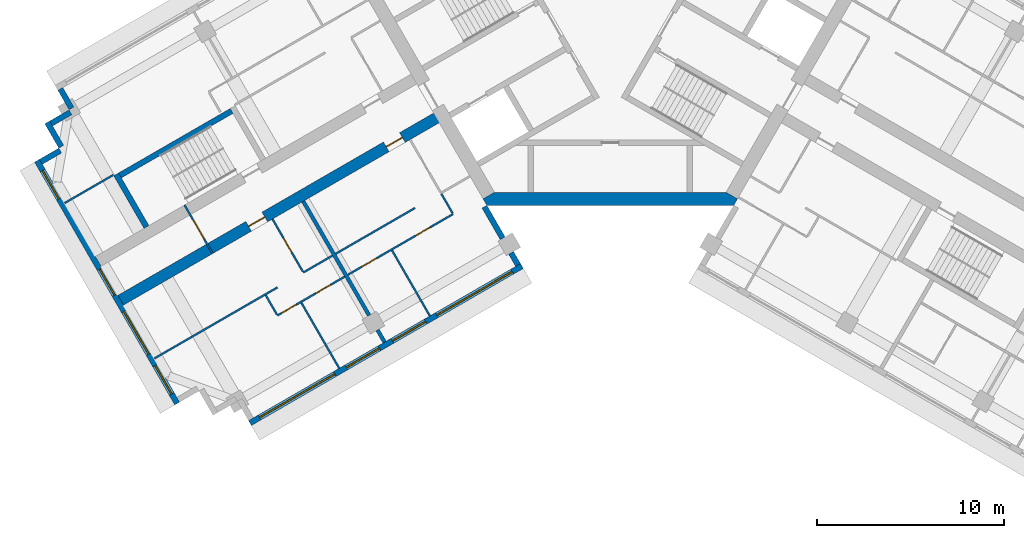
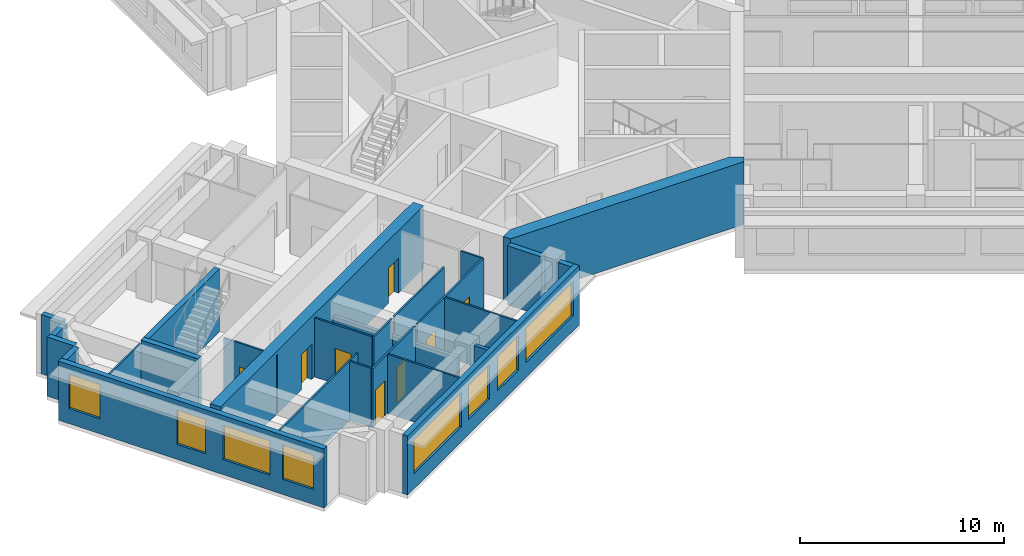
# One storey, part 2 of 10: 26 walls, 8 doors, 8 windows, 16 openings.
"""IFC4 building model written with IfcOpenShell, lengths in metres."""

from ifc_helpers import new_model, si_unit, direction, frame, frame_2d, origin, place, context, subcontext, project, spatial, polyline, rectangle, outline, extrude, material, layer, layer_set, type_object, element, fill, save


model = new_model("IFC4")

# Units and contexts
model_context = context("Model", 3, precision=1e-05, world=origin(), true_north=direction((0.0, 1.0)))
body_context = subcontext(model_context, "Body", "Model", "MODEL_VIEW")
ifc_project = project(units=[si_unit("LENGTHUNIT", "METRE"), si_unit("AREAUNIT", "SQUARE_METRE"), si_unit("VOLUMEUNIT", "CUBIC_METRE"), si_unit("PLANEANGLEUNIT", "RADIAN"), si_unit("MASSUNIT", "GRAM", prefix="KILO")], contexts=[model_context])

# Site, building, storey
site_placement = place(None, origin())
site = spatial("IfcSite", under=ifc_project, at=site_placement, CompositionType="ELEMENT")
building_placement = place(site_placement, origin())
building = spatial("IfcBuilding", under=site, at=building_placement, Name="Impinga Residences", CompositionType="ELEMENT")
storey_placement = place(building_placement, frame((0.0, 0.0, 237.25)))
storey = spatial("IfcBuildingStorey", under=building, at=storey_placement, Name="L59", CompositionType="ELEMENT", Elevation=237.25)

# Wall, openings, doors
ifc_material_1 = material(Name="Concrete C60/75", Category="concrete")
ifc_layer_1 = layer(ifc_material_1, 0.60009765625)
ifc_layer_set_1 = layer_set([ifc_layer_1], Name="Concrete C60/75")
wall_type_1 = type_object("IfcWallType", Name="BW3 corridor buttress wall, L46 to L73 600", PredefinedType="SHEAR", material=ifc_layer_set_1)
wall_1_placement = place(storey_placement, frame((-8.996826171875, -6.580078125, 0.0), z_axis=(0.0, 0.0, 1.0), x_axis=(-0.866030540451, -0.499991102927, 0.0)))
wall_1 = element("IfcWall", 1, at=wall_1_placement, inside=storey, type_object=wall_type_1, Name="Corridor wall BW3 WC L59", PredefinedType="SHEAR", context=body_context, shape_type="SweptSolid", body=[
    extrude(rectangle(XDim=19.849853515625, YDim=0.60009765625, at=frame_2d((9.9248046875, 0.0))), origin(), (0.0, 0.0, 1.0), 3.75),
])
opening_1_placement = place(wall_1_placement, frame((2.449951171875, 0.0, 0.0)))
opening_1 = element("IfcOpeningElement", 2, at=opening_1_placement, cuts=wall_1, Name="Opening D1", PredefinedType="OPENING", context=body_context, shape_type="SweptSolid", body=[
    extrude(rectangle(XDim=1.0, YDim=2.10009765625, at=frame_2d((0.5, 1.050048828125))), frame((0.0, 0.31005859375, 0.0), z_axis=(0.0, -1.0, 0.0), x_axis=(1.0, 0.0, 0.0)), (0.0, 0.0, 1.0), 0.6201171875),
])
opening_2_placement = place(wall_1_placement, frame((10.949951171875, 0.0, 0.0)))
opening_2 = element("IfcOpeningElement", 3, at=opening_2_placement, cuts=wall_1, Name="Opening D1", PredefinedType="OPENING", context=body_context, shape_type="SweptSolid", body=[
    extrude(rectangle(XDim=1.0, YDim=2.10009765625, at=frame_2d((0.5, 1.050048828125))), frame((0.0, 0.31005859375, 0.0), z_axis=(0.0, -1.0, 0.0), x_axis=(1.0, 0.0, 0.0)), (0.0, 0.0, 1.0), 0.6201171875),
])
ifc_material_2 = material(Name="Timber door set", Category="wood")
door_type_1 = type_object("IfcDoorType", Name="D1 apartment entrance door 1000x2100", OperationType="SINGLE_SWING_LEFT", PredefinedType="DOOR", material=ifc_material_2)
door_1_placement = place(opening_1_placement, origin())
door_1 = element("IfcDoor", 4, at=door_1_placement, inside=storey, type_object=door_type_1, Name="Apartment L59-WA1 entrance", OperationType="SINGLE_SWING_LEFT", OverallHeight=2.10009765625, OverallWidth=1.0, PredefinedType="DOOR", context=body_context, shape_type="SweptSolid", body=[
    extrude(rectangle(XDim=1.0, YDim=2.10009765625, at=frame_2d((0.5, 1.050048828125))), frame((0.0, 0.02490234375, 0.0), z_axis=(0.0, -1.0, 0.0), x_axis=(1.0, 0.0, 0.0)), (0.0, 0.0, 1.0), 0.050048828125),
])
fill(opening_1, door_1)
door_2_placement = place(opening_2_placement, origin())
door_2 = element("IfcDoor", 5, at=door_2_placement, inside=storey, type_object=door_type_1, Name="Apartment L59-WA2 entrance", OperationType="SINGLE_SWING_RIGHT", OverallHeight=2.10009765625, OverallWidth=1.0, PredefinedType="DOOR", context=body_context, shape_type="SweptSolid", body=[
    extrude(rectangle(XDim=1.0, YDim=2.10009765625, at=frame_2d((0.5, 1.050048828125))), frame((0.0, 0.02490234375, 0.0), z_axis=(0.0, -1.0, 0.0), x_axis=(1.0, 0.0, 0.0)), (0.0, 0.0, 1.0), 0.050048828125),
])
fill(opening_2, door_2)

# Wall, opening, door
ifc_material_3 = material(Name="Concrete blockwork", Category="masonry")
ifc_layer_2 = layer(ifc_material_3, 0.10009765625)
ifc_layer_set_2 = layer_set([ifc_layer_2], Name="CP1 core room partition, blockwork 100")
wall_type_2 = type_object("IfcWallType", Name="CP1 core room partition, blockwork 100", PredefinedType="PARTITIONING", material=ifc_layer_set_2)
wall_2_placement = place(storey_placement, frame((-21.2744140625, -14.014892578125, 0.0), z_axis=(0.0, 0.0, 1.0), x_axis=(-0.499990139034, 0.866031096941, 0.0)))
wall_2 = element("IfcWall", 6, at=wall_2_placement, inside=storey, type_object=wall_type_2, Name="Core room partition, blockwork L59:W:LNG", PredefinedType="PARTITIONING", context=body_context, shape_type="SweptSolid", body=[
    extrude(rectangle(XDim=3.0, YDim=0.10009765625, at=frame_2d((1.5, 0.0))), origin(), (0.0, 0.0, 1.0), 3.530029296875),
])
opening_3_placement = place(wall_2_placement, frame((0.89990234375, 0.0, 0.0)))
opening_3 = element("IfcOpeningElement", 7, at=opening_3_placement, cuts=wall_2, Name="Opening D3", PredefinedType="OPENING", context=body_context, shape_type="SweptSolid", body=[
    extrude(rectangle(XDim=1.199951171875, YDim=2.10009765625, at=frame_2d((0.60009765625, 1.050048828125))), frame((0.0, 0.06005859375, 0.0), z_axis=(0.0, -1.0, 0.0), x_axis=(1.0, 0.0, 0.0)), (0.0, 0.0, 1.0), 0.1201171875),
])
door_type_2 = type_object("IfcDoorType", Name="D3 room door, leaf and a half 1200x2100", OperationType="DOUBLE_SWING_LEFT", PredefinedType="DOOR", material=ifc_material_2)
door_3_placement = place(opening_3_placement, origin())
door_3 = element("IfcDoor", 8, at=door_3_placement, inside=storey, type_object=door_type_2, Name="Residents' lounge door W", OperationType="DOUBLE_SWING_LEFT", OverallHeight=2.10009765625, OverallWidth=1.199951171875, PredefinedType="DOOR", context=body_context, shape_type="SweptSolid", body=[
    extrude(rectangle(XDim=1.199951171875, YDim=2.10009765625, at=frame_2d((0.60009765625, 1.050048828125))), frame((0.0, 0.02490234375, 0.0), z_axis=(0.0, -1.0, 0.0), x_axis=(1.0, 0.0, 0.0)), (0.0, 0.0, 1.0), 0.050048828125),
])
fill(opening_3, door_3)

# Walls
ifc_material_4 = material(Name="Terracotta rainscreen on blockwork", Category="masonry")
ifc_layer_3 = layer(ifc_material_4, 0.300048828125)
ifc_layer_set_3 = layer_set([ifc_layer_3], Name="EW1 external wall, terracotta rainscreen on blockwork 300")
wall_type_3 = type_object("IfcWallType", Name="EW1 external wall, terracotta rainscreen on blockwork 300", PredefinedType="SOLIDWALL", material=ifc_layer_set_3)
wall_3_placement = place(storey_placement, frame((-6.72998046875, -11.506591796875, 0.0), z_axis=(0.0, 0.0, 1.0), x_axis=(0.500043961785, -0.866000020948, 0.0)))
element("IfcWall", 9, at=wall_3_placement, inside=storey, type_object=wall_type_3, Name="External wall EW1 L59", PredefinedType="SOLIDWALL", context=body_context, shape_type="SweptSolid", body=[
    extrude(rectangle(XDim=1.949951171875, YDim=0.300048828125, at=frame_2d((0.97509765625, 0.0))), origin(), (0.0, 0.0, 1.0), 3.530029296875),
])
wall_4_placement = place(storey_placement, frame((-5.304931640625, -13.974609375, 0.0), z_axis=(0.0, 0.0, 1.0), x_axis=(0.499919672301, -0.866071776036, 0.0)))
element("IfcWall", 10, at=wall_4_placement, inside=storey, type_object=wall_type_3, Name="External wall EW1 L59", PredefinedType="SOLIDWALL", context=body_context, shape_type="SweptSolid", body=[
    extrude(rectangle(XDim=0.75, YDim=0.300048828125, at=frame_2d((0.375, 0.0))), origin(), (0.0, 0.0, 1.0), 3.530029296875),
])

# Wall, openings, windows
wall_5_placement = place(storey_placement, frame((-4.72509765625, -14.67919921875, 0.0), z_axis=(0.0, 0.0, 1.0), x_axis=(-0.86602562146, -0.499999622975, 0.0)))
wall_5 = element("IfcWall", 11, at=wall_5_placement, inside=storey, type_object=wall_type_3, Name="External wall EW1 L59", PredefinedType="SOLIDWALL", context=body_context, shape_type="SweptSolid", body=[
    extrude(rectangle(XDim=16.7998046875, YDim=0.300048828125, at=frame_2d((8.39990234375, 0.0))), origin(), (0.0, 0.0, 1.0), 3.530029296875),
])
opening_4_placement = place(wall_5_placement, frame((0.60009765625, 0.0, 0.89990234375)))
opening_4 = element("IfcOpeningElement", 12, at=opening_4_placement, cuts=wall_5, Name="Opening W10", PredefinedType="OPENING", context=body_context, shape_type="SweptSolid", body=[
    extrude(rectangle(XDim=4.64990234375, YDim=2.050048828125, at=frame_2d((2.324951171875, 1.02490234375))), frame((0.0, 0.159912109375, 0.0), z_axis=(0.0, -1.0, 0.0), x_axis=(1.0, 0.0, 0.0)), (0.0, 0.0, 1.0), 0.320068359375),
])
opening_5_placement = place(wall_5_placement, frame((5.949951171875, 0.0, 0.89990234375)))
opening_5 = element("IfcOpeningElement", 13, at=opening_5_placement, cuts=wall_5, Name="Opening W14", PredefinedType="OPENING", context=body_context, shape_type="SweptSolid", body=[
    extrude(rectangle(XDim=2.050048828125, YDim=2.050048828125, at=frame_2d((1.02490234375, 1.02490234375))), frame((0.0, 0.159912109375, 0.0), z_axis=(0.0, -1.0, 0.0), x_axis=(1.0, 0.0, 0.0)), (0.0, 0.0, 1.0), 0.320068359375),
])
opening_6_placement = place(wall_5_placement, frame((8.800048828125, 0.0, 0.89990234375)))
opening_6 = element("IfcOpeningElement", 14, at=opening_6_placement, cuts=wall_5, Name="Opening W14", PredefinedType="OPENING", context=body_context, shape_type="SweptSolid", body=[
    extrude(rectangle(XDim=2.050048828125, YDim=2.050048828125, at=frame_2d((1.02490234375, 1.02490234375))), frame((0.0, 0.159912109375, 0.0), z_axis=(0.0, -1.0, 0.0), x_axis=(1.0, 0.0, 0.0)), (0.0, 0.0, 1.0), 0.320068359375),
])
opening_7_placement = place(wall_5_placement, frame((11.550048828125, 0.0, 0.89990234375)))
opening_7 = element("IfcOpeningElement", 15, at=opening_7_placement, cuts=wall_5, Name="Opening W10", PredefinedType="OPENING", context=body_context, shape_type="SweptSolid", body=[
    extrude(rectangle(XDim=4.64990234375, YDim=2.050048828125, at=frame_2d((2.324951171875, 1.02490234375))), frame((0.0, 0.159912109375, 0.0), z_axis=(0.0, -1.0, 0.0), x_axis=(1.0, 0.0, 0.0)), (0.0, 0.0, 1.0), 0.320068359375),
])
ifc_material_5 = material(Name="Aluminium window, clear double glazing", Category="aluminium")
window_type_1 = type_object("IfcWindowType", Name="W10 ribbon window 4650x2050", PartitioningType="SINGLE_PANEL", PredefinedType="WINDOW", material=ifc_material_5)
window_1_placement = place(opening_4_placement, origin())
window_1 = element("IfcWindow", 16, at=window_1_placement, inside=storey, type_object=window_type_1, Name="Window L59", OverallHeight=2.050048828125, OverallWidth=4.64990234375, PartitioningType="SINGLE_PANEL", PredefinedType="WINDOW", context=body_context, shape_type="SweptSolid", body=[
    extrude(rectangle(XDim=4.64990234375, YDim=2.050048828125, at=frame_2d((2.324951171875, 1.02490234375))), frame((0.0, 0.030029296875, 0.0), z_axis=(0.0, -1.0, 0.0), x_axis=(1.0, 0.0, 0.0)), (0.0, 0.0, 1.0), 0.06005859375),
])
fill(opening_4, window_1)
window_2_placement = place(opening_7_placement, origin())
window_2 = element("IfcWindow", 17, at=window_2_placement, inside=storey, type_object=window_type_1, Name="Window L59", OverallHeight=2.050048828125, OverallWidth=4.64990234375, PartitioningType="SINGLE_PANEL", PredefinedType="WINDOW", context=body_context, shape_type="SweptSolid", body=[
    extrude(rectangle(XDim=4.64990234375, YDim=2.050048828125, at=frame_2d((2.324951171875, 1.02490234375))), frame((0.0, 0.030029296875, 0.0), z_axis=(0.0, -1.0, 0.0), x_axis=(1.0, 0.0, 0.0)), (0.0, 0.0, 1.0), 0.06005859375),
])
fill(opening_7, window_2)
window_type_2 = type_object("IfcWindowType", Name="W14 ribbon window 2050x2050", PartitioningType="SINGLE_PANEL", PredefinedType="WINDOW", material=ifc_material_5)
window_3_placement = place(opening_5_placement, origin())
window_3 = element("IfcWindow", 18, at=window_3_placement, inside=storey, type_object=window_type_2, Name="Window L59", OverallHeight=2.050048828125, OverallWidth=2.050048828125, PartitioningType="SINGLE_PANEL", PredefinedType="WINDOW", context=body_context, shape_type="SweptSolid", body=[
    extrude(rectangle(XDim=2.050048828125, YDim=2.050048828125, at=frame_2d((1.02490234375, 1.02490234375))), frame((0.0, 0.030029296875, 0.0), z_axis=(0.0, -1.0, 0.0), x_axis=(1.0, 0.0, 0.0)), (0.0, 0.0, 1.0), 0.06005859375),
])
fill(opening_5, window_3)
window_4_placement = place(opening_6_placement, origin())
window_4 = element("IfcWindow", 19, at=window_4_placement, inside=storey, type_object=window_type_2, Name="Window L59", OverallHeight=2.050048828125, OverallWidth=2.050048828125, PartitioningType="SINGLE_PANEL", PredefinedType="WINDOW", context=body_context, shape_type="SweptSolid", body=[
    extrude(rectangle(XDim=2.050048828125, YDim=2.050048828125, at=frame_2d((1.02490234375, 1.02490234375))), frame((0.0, 0.030029296875, 0.0), z_axis=(0.0, -1.0, 0.0), x_axis=(1.0, 0.0, 0.0)), (0.0, 0.0, 1.0), 0.06005859375),
])
fill(opening_6, window_4)

wall_6_placement = place(storey_placement, frame((-23.16748046875, -22.035888671875, 0.0), z_axis=(0.0, 0.0, 1.0), x_axis=(-0.500004234368, 0.866022959057, 0.0)))
wall_6 = element("IfcWall", 20, at=wall_6_placement, inside=storey, type_object=wall_type_3, Name="External wall EW1 L59", PredefinedType="SOLIDWALL", context=body_context, shape_type="SweptSolid", body=[
    extrude(rectangle(XDim=14.999755859375, YDim=0.300048828125, at=frame_2d((7.5, 0.0))), origin(), (0.0, 0.0, 1.0), 3.530029296875),
])
opening_8_placement = place(wall_6_placement, frame((0.60009765625, 0.0, 0.89990234375)))
opening_8 = element("IfcOpeningElement", 21, at=opening_8_placement, cuts=wall_6, Name="Opening W1", PredefinedType="OPENING", context=body_context, shape_type="SweptSolid", body=[
    extrude(rectangle(XDim=1.75, YDim=2.050048828125, at=frame_2d((0.875, 1.02490234375))), frame((0.0, 0.159912109375, 0.0), z_axis=(0.0, -1.0, 0.0), x_axis=(1.0, 0.0, 0.0)), (0.0, 0.0, 1.0), 0.320068359375),
])
opening_9_placement = place(wall_6_placement, frame((3.050048828125, 0.0, 0.89990234375)))
opening_9 = element("IfcOpeningElement", 22, at=opening_9_placement, cuts=wall_6, Name="Opening W18", PredefinedType="OPENING", context=body_context, shape_type="SweptSolid", body=[
    extrude(rectangle(XDim=2.64990234375, YDim=2.050048828125, at=frame_2d((1.324951171875, 1.02490234375))), frame((0.0, 0.159912109375, 0.0), z_axis=(0.0, -1.0, 0.0), x_axis=(1.0, 0.0, 0.0)), (0.0, 0.0, 1.0), 0.320068359375),
])
opening_10_placement = place(wall_6_placement, frame((6.699951171875, 0.0, 0.89990234375)))
opening_10 = element("IfcOpeningElement", 23, at=opening_10_placement, cuts=wall_6, Name="Opening W19", PredefinedType="OPENING", context=body_context, shape_type="SweptSolid", body=[
    extrude(rectangle(XDim=1.60009765625, YDim=2.050048828125, at=frame_2d((0.800048828125, 1.02490234375))), frame((0.0, 0.159912109375, 0.0), z_axis=(0.0, -1.0, 0.0), x_axis=(1.0, 0.0, 0.0)), (0.0, 0.0, 1.0), 0.320068359375),
])
opening_11_placement = place(wall_6_placement, frame((12.64990234375, 0.0, 0.89990234375)))
opening_11 = element("IfcOpeningElement", 24, at=opening_11_placement, cuts=wall_6, Name="Opening W1", PredefinedType="OPENING", context=body_context, shape_type="SweptSolid", body=[
    extrude(rectangle(XDim=1.75, YDim=2.050048828125, at=frame_2d((0.875, 1.02490234375))), frame((0.0, 0.159912109375, 0.0), z_axis=(0.0, -1.0, 0.0), x_axis=(1.0, 0.0, 0.0)), (0.0, 0.0, 1.0), 0.320068359375),
])
window_type_3 = type_object("IfcWindowType", Name="W1 ribbon window 1750x2050", PartitioningType="SINGLE_PANEL", PredefinedType="WINDOW", material=ifc_material_5)
window_5_placement = place(opening_8_placement, origin())
window_5 = element("IfcWindow", 25, at=window_5_placement, inside=storey, type_object=window_type_3, Name="Window L59", OverallHeight=2.050048828125, OverallWidth=1.75, PartitioningType="SINGLE_PANEL", PredefinedType="WINDOW", context=body_context, shape_type="SweptSolid", body=[
    extrude(rectangle(XDim=1.75, YDim=2.050048828125, at=frame_2d((0.875, 1.02490234375))), frame((0.0, 0.030029296875, 0.0), z_axis=(0.0, -1.0, 0.0), x_axis=(1.0, 0.0, 0.0)), (0.0, 0.0, 1.0), 0.06005859375),
])
fill(opening_8, window_5)
window_6_placement = place(opening_11_placement, origin())
window_6 = element("IfcWindow", 26, at=window_6_placement, inside=storey, type_object=window_type_3, Name="Window L59", OverallHeight=2.050048828125, OverallWidth=1.75, PartitioningType="SINGLE_PANEL", PredefinedType="WINDOW", context=body_context, shape_type="SweptSolid", body=[
    extrude(rectangle(XDim=1.75, YDim=2.050048828125, at=frame_2d((0.875, 1.02490234375))), frame((0.0, 0.030029296875, 0.0), z_axis=(0.0, -1.0, 0.0), x_axis=(1.0, 0.0, 0.0)), (0.0, 0.0, 1.0), 0.06005859375),
])
fill(opening_11, window_6)
window_type_4 = type_object("IfcWindowType", Name="W18 ribbon window 2650x2050", PartitioningType="SINGLE_PANEL", PredefinedType="WINDOW", material=ifc_material_5)
window_7_placement = place(opening_9_placement, origin())
window_7 = element("IfcWindow", 27, at=window_7_placement, inside=storey, type_object=window_type_4, Name="Window L59", OverallHeight=2.050048828125, OverallWidth=2.64990234375, PartitioningType="SINGLE_PANEL", PredefinedType="WINDOW", context=body_context, shape_type="SweptSolid", body=[
    extrude(rectangle(XDim=2.64990234375, YDim=2.050048828125, at=frame_2d((1.324951171875, 1.02490234375))), frame((0.0, 0.030029296875, 0.0), z_axis=(0.0, -1.0, 0.0), x_axis=(1.0, 0.0, 0.0)), (0.0, 0.0, 1.0), 0.06005859375),
])
fill(opening_9, window_7)
window_type_5 = type_object("IfcWindowType", Name="W19 ribbon window 1600x2050", PartitioningType="SINGLE_PANEL", PredefinedType="WINDOW", material=ifc_material_5)
window_8_placement = place(opening_10_placement, origin())
window_8 = element("IfcWindow", 28, at=window_8_placement, inside=storey, type_object=window_type_5, Name="Window L59", OverallHeight=2.050048828125, OverallWidth=1.60009765625, PartitioningType="SINGLE_PANEL", PredefinedType="WINDOW", context=body_context, shape_type="SweptSolid", body=[
    extrude(rectangle(XDim=1.60009765625, YDim=2.050048828125, at=frame_2d((0.800048828125, 1.02490234375))), frame((0.0, 0.030029296875, 0.0), z_axis=(0.0, -1.0, 0.0), x_axis=(1.0, 0.0, 0.0)), (0.0, 0.0, 1.0), 0.06005859375),
])
fill(opening_10, window_8)

# Walls
wall_7_placement = place(storey_placement, frame((-30.46240234375, -9.1005859375, 0.0), z_axis=(0.0, 0.0, 1.0), x_axis=(0.865971243484, 0.500093796661, 0.0)))
element("IfcWall", 29, at=wall_7_placement, inside=storey, type_object=wall_type_3, Name="External wall EW1 L59", PredefinedType="SOLIDWALL", context=body_context, shape_type="SweptSolid", body=[
    extrude(rectangle(XDim=1.195068359375, YDim=0.300048828125, at=frame_2d((0.59765625, 0.0))), origin(), (0.0, 0.0, 1.0), 3.530029296875),
])
wall_8_placement = place(storey_placement, frame((-29.368408203125, -8.295654296875, 0.0), z_axis=(0.0, 0.0, 1.0), x_axis=(-0.499990139034, 0.866031096941, 0.0)))
element("IfcWall", 30, at=wall_8_placement, inside=storey, type_object=wall_type_3, Name="External wall EW1 L59", PredefinedType="SOLIDWALL", context=body_context, shape_type="SweptSolid", body=[
    extrude(rectangle(XDim=1.5, YDim=0.300048828125, at=frame_2d((0.75, 0.0))), origin(), (0.0, 0.0, 1.0), 3.530029296875),
])
wall_9_placement = place(storey_placement, frame((-29.91357421875, -7.051513671875, 0.0), z_axis=(0.0, 0.0, 1.0), x_axis=(0.865971243484, 0.500093796661, 0.0)))
element("IfcWall", 31, at=wall_9_placement, inside=storey, type_object=wall_type_3, Name="External wall EW1 L59", PredefinedType="SOLIDWALL", context=body_context, shape_type="SweptSolid", body=[
    extrude(rectangle(XDim=1.195068359375, YDim=0.300048828125, at=frame_2d((0.59765625, 0.0))), origin(), (0.0, 0.0, 1.0), 3.530029296875),
])
wall_10_placement = place(storey_placement, frame((-28.8193359375, -6.24658203125, 0.0), z_axis=(0.0, 0.0, 1.0), x_axis=(-0.500033551112, 0.866006032174, 0.0)))
element("IfcWall", 32, at=wall_10_placement, inside=storey, type_object=wall_type_3, Name="External wall EW1 L59", PredefinedType="SOLIDWALL", context=body_context, shape_type="SweptSolid", body=[
    extrude(rectangle(XDim=1.2001953125, YDim=0.300048828125, at=frame_2d((0.60009765625, 0.0))), origin(), (0.0, 0.0, 1.0), 3.530029296875),
])
ifc_material_6 = material(Name="Gypsum board on steel studs", Category="steel")
ifc_layer_4 = layer(ifc_material_6, 0.10009765625)
ifc_layer_set_4 = layer_set([ifc_layer_4], Name="Gypsum board on steel studs")
wall_type_4 = type_object("IfcWallType", Name="IP1 partition 100", PredefinedType="PARTITIONING", material=ifc_layer_set_4)
wall_11_placement = place(storey_placement, frame((-10.444580078125, -11.57275390625, 0.0), z_axis=(0.0, 0.0, 1.0), x_axis=(-0.866023786258, -0.500002801628, 0.0)))
element("IfcWall", 33, at=wall_11_placement, inside=storey, type_object=wall_type_4, Name="Partition L59-WA1:DIV1", PredefinedType="PARTITIONING", context=body_context, shape_type="SweptSolid", body=[
    extrude(rectangle(XDim=4.89990234375, YDim=0.10009765625, at=frame_2d((2.449951171875, 0.0))), origin(), (0.0, 0.0, 1.0), 3.530029296875),
])

# Wall, openings, doors
wall_12_placement = place(storey_placement, frame((-8.408935546875, -11.8984375, 0.0), z_axis=(0.0, 0.0, 1.0), x_axis=(-0.866024837091, -0.50000098154, 0.0)))
wall_12 = element("IfcWall", 34, at=wall_12_placement, inside=storey, type_object=wall_type_4, Name="Partition L59-WA1:STRIP", PredefinedType="PARTITIONING", context=body_context, shape_type="SweptSolid", body=[
    extrude(rectangle(XDim=6.5, YDim=0.10009765625, at=frame_2d((3.25, 0.0))), origin(), (0.0, 0.0, 1.0), 3.530029296875),
])
opening_12_placement = place(wall_12_placement, frame((1.425048828125, 0.0, 0.0)))
opening_12 = element("IfcOpeningElement", 35, at=opening_12_placement, cuts=wall_12, Name="Opening D2", PredefinedType="OPENING", context=body_context, shape_type="SweptSolid", body=[
    extrude(rectangle(XDim=0.89990234375, YDim=2.10009765625, at=frame_2d((0.449951171875, 1.050048828125))), frame((0.0, 0.06005859375, 0.0), z_axis=(0.0, -1.0, 0.0), x_axis=(1.0, 0.0, 0.0)), (0.0, 0.0, 1.0), 0.1201171875),
])
opening_13_placement = place(wall_12_placement, frame((4.72509765625, 0.0, 0.0)))
opening_13 = element("IfcOpeningElement", 36, at=opening_13_placement, cuts=wall_12, Name="Opening D2", PredefinedType="OPENING", context=body_context, shape_type="SweptSolid", body=[
    extrude(rectangle(XDim=0.89990234375, YDim=2.10009765625, at=frame_2d((0.449951171875, 1.050048828125))), frame((0.0, 0.06005859375, 0.0), z_axis=(0.0, -1.0, 0.0), x_axis=(1.0, 0.0, 0.0)), (0.0, 0.0, 1.0), 0.1201171875),
])
door_type_3 = type_object("IfcDoorType", Name="D2 internal door 900x2100", OperationType="SINGLE_SWING_LEFT", PredefinedType="DOOR", material=ifc_material_2)
door_4_placement = place(opening_12_placement, origin())
door_4 = element("IfcDoor", 37, at=door_4_placement, inside=storey, type_object=door_type_3, Name="Apartment L59-WA1 room door", OperationType="SINGLE_SWING_LEFT", OverallHeight=2.10009765625, OverallWidth=0.89990234375, PredefinedType="DOOR", context=body_context, shape_type="SweptSolid", body=[
    extrude(rectangle(XDim=0.89990234375, YDim=2.10009765625, at=frame_2d((0.449951171875, 1.050048828125))), frame((0.0, 0.02490234375, 0.0), z_axis=(0.0, -1.0, 0.0), x_axis=(1.0, 0.0, 0.0)), (0.0, 0.0, 1.0), 0.050048828125),
])
fill(opening_12, door_4)
door_5_placement = place(opening_13_placement, origin())
door_5 = element("IfcDoor", 38, at=door_5_placement, inside=storey, type_object=door_type_3, Name="Apartment L59-WA1 room door", OperationType="SINGLE_SWING_RIGHT", OverallHeight=2.10009765625, OverallWidth=0.89990234375, PredefinedType="DOOR", context=body_context, shape_type="SweptSolid", body=[
    extrude(rectangle(XDim=0.89990234375, YDim=2.10009765625, at=frame_2d((0.449951171875, 1.050048828125))), frame((0.0, 0.02490234375, 0.0), z_axis=(0.0, -1.0, 0.0), x_axis=(1.0, 0.0, 0.0)), (0.0, 0.0, 1.0), 0.050048828125),
])
fill(opening_13, door_5)

# Walls
wall_13_placement = place(storey_placement, frame((-9.033935546875, -10.81591796875, 0.0), z_axis=(0.0, 0.0, 1.0), x_axis=(0.500033551112, -0.866006032174, 0.0)))
element("IfcWall", 39, at=wall_13_placement, inside=storey, type_object=wall_type_4, Name="Partition L59-WA1:SE0", PredefinedType="PARTITIONING", context=body_context, shape_type="SweptSolid", body=[
    extrude(rectangle(XDim=1.2001953125, YDim=0.10009765625, at=frame_2d((0.60009765625, 0.0))), origin(), (0.0, 0.0, 1.0), 3.530029296875),
])
wall_14_placement = place(storey_placement, frame((-11.6748046875, -13.841796875, 0.0), z_axis=(0.0, 0.0, 1.0), x_axis=(0.500035537042, -0.866004885491, 0.0)))
element("IfcWall", 40, at=wall_14_placement, inside=storey, type_object=wall_type_4, Name="Partition L59-WA1:OB1", PredefinedType="PARTITIONING", context=body_context, shape_type="SweptSolid", body=[
    extrude(rectangle(XDim=4.050048828125, YDim=0.10009765625, at=frame_2d((2.02490234375, 0.0))), origin(), (0.0, 0.0, 1.0), 3.530029296875),
])
wall_15_placement = place(storey_placement, frame((-14.861328125, -14.122802734375, 0.0), z_axis=(0.0, 0.0, 1.0), x_axis=(-0.866047807691, -0.499961193289, 0.0)))
element("IfcWall", 41, at=wall_15_placement, inside=storey, type_object=wall_type_4, Name="Partition L59-WA2:DIV0", PredefinedType="PARTITIONING", context=body_context, shape_type="SweptSolid", body=[
    extrude(rectangle(XDim=1.800048828125, YDim=0.10009765625, at=frame_2d((0.89990234375, 0.0))), origin(), (0.0, 0.0, 1.0), 3.530029296875),
])
wall_16_placement = place(storey_placement, frame((-17.8056640625, -15.82275390625, 0.0), z_axis=(0.0, 0.0, 1.0), x_axis=(-0.866022425744, -0.500005158081, 0.0)))
element("IfcWall", 42, at=wall_16_placement, inside=storey, type_object=wall_type_4, Name="Partition L59-WA2:DIV1", PredefinedType="PARTITIONING", context=body_context, shape_type="SweptSolid", body=[
    extrude(rectangle(XDim=7.60009765625, YDim=0.10009765625, at=frame_2d((3.800048828125, 0.0))), origin(), (0.0, 0.0, 1.0), 3.530029296875),
])

# Wall, openings, doors
wall_17_placement = place(storey_placement, frame((-14.211181640625, -15.24853515625, 0.0), z_axis=(0.0, 0.0, 1.0), x_axis=(-0.86602981871, -0.499992353047, 0.0)))
wall_17 = element("IfcWall", 43, at=wall_17_placement, inside=storey, type_object=wall_type_4, Name="Partition L59-WA2:STRIP", PredefinedType="PARTITIONING", context=body_context, shape_type="SweptSolid", body=[
    extrude(rectangle(XDim=4.14990234375, YDim=0.10009765625, at=frame_2d((2.074951171875, 0.0))), origin(), (0.0, 0.0, 1.0), 3.530029296875),
])
opening_14_placement = place(wall_17_placement, frame((0.875, 0.0, 0.0)))
opening_14 = element("IfcOpeningElement", 44, at=opening_14_placement, cuts=wall_17, Name="Opening D2", PredefinedType="OPENING", context=body_context, shape_type="SweptSolid", body=[
    extrude(rectangle(XDim=0.89990234375, YDim=2.10009765625, at=frame_2d((0.449951171875, 1.050048828125))), frame((0.0, 0.06005859375, 0.0), z_axis=(0.0, -1.0, 0.0), x_axis=(1.0, 0.0, 0.0)), (0.0, 0.0, 1.0), 0.1201171875),
])
opening_15_placement = place(wall_17_placement, frame((3.0, 0.0, 0.0)))
opening_15 = element("IfcOpeningElement", 45, at=opening_15_placement, cuts=wall_17, Name="Opening D2", PredefinedType="OPENING", context=body_context, shape_type="SweptSolid", body=[
    extrude(rectangle(XDim=0.89990234375, YDim=2.10009765625, at=frame_2d((0.449951171875, 1.050048828125))), frame((0.0, 0.06005859375, 0.0), z_axis=(0.0, -1.0, 0.0), x_axis=(1.0, 0.0, 0.0)), (0.0, 0.0, 1.0), 0.1201171875),
])
door_6_placement = place(opening_14_placement, origin())
door_6 = element("IfcDoor", 46, at=door_6_placement, inside=storey, type_object=door_type_3, Name="Apartment L59-WA2 room door", OperationType="SINGLE_SWING_LEFT", OverallHeight=2.10009765625, OverallWidth=0.89990234375, PredefinedType="DOOR", context=body_context, shape_type="SweptSolid", body=[
    extrude(rectangle(XDim=0.89990234375, YDim=2.10009765625, at=frame_2d((0.449951171875, 1.050048828125))), frame((0.0, 0.02490234375, 0.0), z_axis=(0.0, -1.0, 0.0), x_axis=(1.0, 0.0, 0.0)), (0.0, 0.0, 1.0), 0.050048828125),
])
fill(opening_14, door_6)
door_7_placement = place(opening_15_placement, origin())
door_7 = element("IfcDoor", 47, at=door_7_placement, inside=storey, type_object=door_type_3, Name="Apartment L59-WA2 room door", OperationType="SINGLE_SWING_RIGHT", OverallHeight=2.10009765625, OverallWidth=0.89990234375, PredefinedType="DOOR", context=body_context, shape_type="SweptSolid", body=[
    extrude(rectangle(XDim=0.89990234375, YDim=2.10009765625, at=frame_2d((0.449951171875, 1.050048828125))), frame((0.0, 0.02490234375, 0.0), z_axis=(0.0, -1.0, 0.0), x_axis=(1.0, 0.0, 0.0)), (0.0, 0.0, 1.0), 0.050048828125),
])
fill(opening_15, door_7)

# Wall
wall_18_placement = place(storey_placement, frame((-18.43017578125, -16.240966796875, 0.0), z_axis=(0.0, 0.0, 1.0), x_axis=(0.499880961361, -0.866094119867, 0.0)))
element("IfcWall", 48, at=wall_18_placement, inside=storey, type_object=wall_type_4, Name="Partition L59-WA2:SE1", PredefinedType="PARTITIONING", context=body_context, shape_type="SweptSolid", body=[
    extrude(rectangle(XDim=1.199951171875, YDim=0.10009765625, at=frame_2d((0.60009765625, 0.0))), origin(), (0.0, 0.0, 1.0), 3.530029296875),
])

# Wall, opening, door
wall_19_placement = place(storey_placement, frame((-18.070068359375, -12.164794921875, 0.0), z_axis=(0.0, 0.0, 1.0), x_axis=(0.499984717929, -0.866034226713, 0.0)))
wall_19 = element("IfcWall", 49, at=wall_19_placement, inside=storey, type_object=wall_type_4, Name="Partition L59-WA2:IB1", PredefinedType="PARTITIONING", context=body_context, shape_type="SweptSolid", body=[
    extrude(rectangle(XDim=3.25, YDim=0.10009765625, at=frame_2d((1.625, 0.0))), origin(), (0.0, 0.0, 1.0), 3.530029296875),
])
opening_16_placement = place(wall_19_placement, frame((1.175048828125, 0.0, 0.0)))
opening_16 = element("IfcOpeningElement", 50, at=opening_16_placement, cuts=wall_19, Name="Opening D2", PredefinedType="OPENING", context=body_context, shape_type="SweptSolid", body=[
    extrude(rectangle(XDim=0.89990234375, YDim=2.10009765625, at=frame_2d((0.449951171875, 1.050048828125))), frame((0.0, 0.06005859375, 0.0), z_axis=(0.0, -1.0, 0.0), x_axis=(1.0, 0.0, 0.0)), (0.0, 0.0, 1.0), 0.1201171875),
])
door_8_placement = place(opening_16_placement, origin())
door_8 = element("IfcDoor", 51, at=door_8_placement, inside=storey, type_object=door_type_3, Name="Apartment L59-WA2 bathroom door", OperationType="SINGLE_SWING_LEFT", OverallHeight=2.10009765625, OverallWidth=0.89990234375, PredefinedType="DOOR", context=body_context, shape_type="SweptSolid", body=[
    extrude(rectangle(XDim=0.89990234375, YDim=2.10009765625, at=frame_2d((0.449951171875, 1.050048828125))), frame((0.0, 0.02490234375, 0.0), z_axis=(0.0, -1.0, 0.0), x_axis=(1.0, 0.0, 0.0)), (0.0, 0.0, 1.0), 0.050048828125),
])
fill(opening_16, door_8)

# Walls
wall_20_placement = place(storey_placement, frame((-16.5244140625, -16.641845703125, 0.0), z_axis=(0.0, 0.0, 1.0), x_axis=(0.499990325971, -0.866030989016, 0.0)))
element("IfcWall", 52, at=wall_20_placement, inside=storey, type_object=wall_type_4, Name="Partition L59-WA2:OB1", PredefinedType="PARTITIONING", context=body_context, shape_type="SweptSolid", body=[
    extrude(rectangle(XDim=4.0498046875, YDim=0.10009765625, at=frame_2d((2.02490234375, 0.0))), origin(), (0.0, 0.0, 1.0), 3.530029296875),
])
wall_21_placement = place(storey_placement, frame((-26.58935546875, -9.808837890625, 0.0), z_axis=(0.0, 0.0, 1.0), x_axis=(-0.866031096941, -0.499990139034, 0.0)))
element("IfcWall", 53, at=wall_21_placement, inside=storey, type_object=wall_type_4, Name="Partition L59-WF1:DIV2", PredefinedType="PARTITIONING", context=body_context, shape_type="SweptSolid", body=[
    extrude(rectangle(XDim=3.0, YDim=0.10009765625, at=frame_2d((1.5, 0.0))), origin(), (0.0, 0.0, 1.0), 3.530029296875),
])
ifc_layer_5 = layer(ifc_material_3, 0.199951171875)
ifc_layer_set_5 = layer_set([ifc_layer_5], Name="PW1 party wall between apartments 200")
wall_type_5 = type_object("IfcWallType", Name="PW1 party wall between apartments 200", PredefinedType="SOLIDWALL", material=ifc_layer_set_5)
wall_22_placement = place(storey_placement, frame((-16.424560546875, -11.21484375, 0.0), z_axis=(0.0, 0.0, 1.0), x_axis=(0.499990246421, -0.866031034943, 0.0)))
element("IfcWall", 54, at=wall_22_placement, inside=storey, type_object=wall_type_5, Name="Party wall between apartments L59-WA1:PARTY", PredefinedType="SOLIDWALL", context=body_context, shape_type="SweptSolid", body=[
    extrude(rectangle(XDim=7.050048828125, YDim=0.199951171875, at=frame_2d((3.52490234375, 0.0))), origin(), (0.0, 0.0, 1.0), 2.47998046875),
])
wall_23_placement = place(storey_placement, frame((-12.44970703125, -18.099609375, 0.0), z_axis=(0.0, 0.0, 1.0), x_axis=(0.499919672301, -0.866071776036, 0.0)))
element("IfcWall", 55, at=wall_23_placement, inside=storey, type_object=wall_type_5, Name="Party wall between apartments L59-WA1:PARTYb", PredefinedType="SOLIDWALL", context=body_context, shape_type="SweptSolid", body=[
    extrude(rectangle(XDim=0.75, YDim=0.199951171875, at=frame_2d((0.375, 0.0))), origin(), (0.0, 0.0, 1.0), 3.530029296875),
])
ifc_layer_6 = layer(ifc_material_1, 0.300048828125)
ifc_layer_set_6 = layer_set([ifc_layer_6], Name="Concrete C60/75")
wall_type_6 = type_object("IfcWallType", Name="SE1 wing stair enclosure wall 300", PredefinedType="SOLIDWALL", material=ifc_layer_set_6)
wall_24_placement = place(storey_placement, frame((-24.8095703125, -12.591796875, 0.0), z_axis=(0.0, 0.0, 1.0), x_axis=(-0.499984717929, 0.866034226713, 0.0)))
element("IfcWall", 56, at=wall_24_placement, inside=storey, type_object=wall_type_6, Name="Stair enclosure wall SE1 W END1 L59", PredefinedType="SOLIDWALL", context=body_context, shape_type="SweptSolid", body=[
    extrude(rectangle(XDim=3.25, YDim=0.300048828125, at=frame_2d((1.625, 0.0))), origin(), (0.0, 0.0, 1.0), 3.75),
])
wall_25_placement = place(storey_placement, frame((-20.254150390625, -6.382080078125, 0.0), z_axis=(0.0, 0.0, 1.0), x_axis=(-0.866020008033, -0.500009345598, 0.0)))
element("IfcWall", 57, at=wall_25_placement, inside=storey, type_object=wall_type_6, Name="Stair enclosure wall SE1 W OUT L59", PredefinedType="SOLIDWALL", context=body_context, shape_type="SweptSolid", body=[
    extrude(rectangle(XDim=6.899658203125, YDim=0.300048828125, at=frame_2d((3.44970703125, 0.0))), origin(), (0.0, 0.0, 1.0), 3.75),
])
ifc_layer_7 = layer(ifc_material_1, 0.699951171875)
ifc_layer_set_7 = layer_set([ifc_layer_7], Name="Concrete C60/75")
wall_type_7 = type_object("IfcWallType", Name="SW3 core wall 700", PredefinedType="SHEAR", material=ifc_layer_set_7)
wall_26_placement = place(storey_placement, origin())
element("IfcWall", 58, at=wall_26_placement, inside=storey, type_object=wall_type_7, Name="Core wall SW3 N:EXPOSED L59", PredefinedType="SHEAR", context=body_context, shape_type="SweptSolid", body=[
    extrude(outline(polyline([(-6.60009765625, -11.431640625), (6.60009765625, -11.431640625), (6.802001953125, -11.08154296875), (6.19580078125, -10.7314453125), (-6.19580078125, -10.7314453125), (-6.802001953125, -11.08154296875), (-6.60009765625, -11.431640625)])), origin(), (0.0, 0.0, 1.0), 3.75),
])

save(model, "model.ifc")
